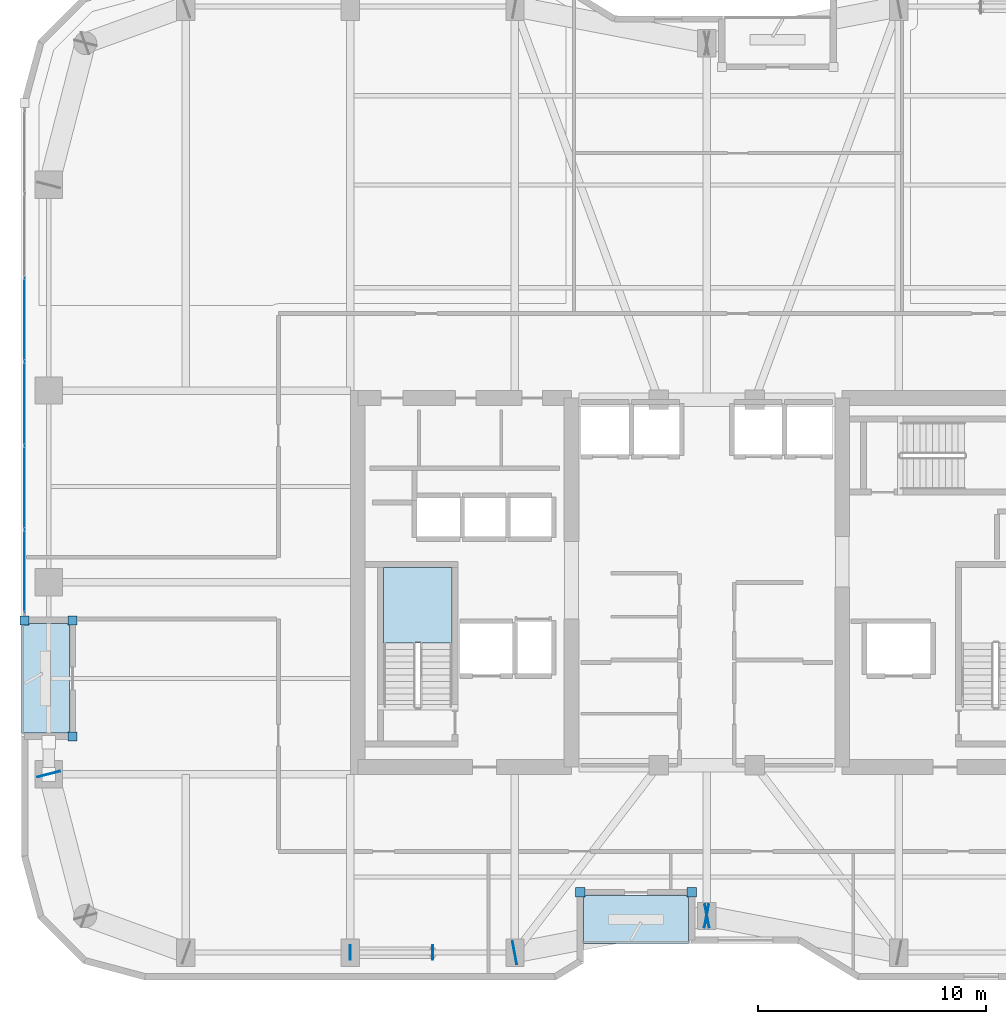
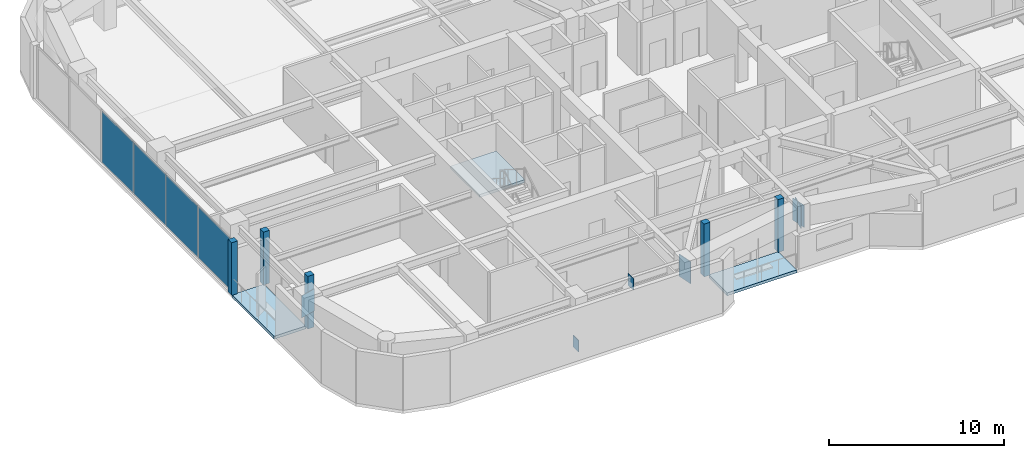
# One storey, part 21 of 30: 15 plates, 3 slabs, 2 elements without a shape of their own.
"""IFC4 building model written with IfcOpenShell, lengths in metres."""

from ifc_helpers import new_model, si_unit, direction, frame, origin, origin_2d, place, context, subcontext, project, spatial, polyline, rectangle, outline, extrude, material, layer, layer_set, type_object, element, aggregate, save


model = new_model("IFC4")

# Units and contexts
model_context = context("Model", 3, precision=1e-05, world=origin(), true_north=direction((0.0, 1.0)))
body_context = subcontext(model_context, "Body", "Model", "MODEL_VIEW")
ifc_project = project(units=[si_unit("LENGTHUNIT", "METRE"), si_unit("AREAUNIT", "SQUARE_METRE"), si_unit("VOLUMEUNIT", "CUBIC_METRE"), si_unit("PLANEANGLEUNIT", "RADIAN"), si_unit("MASSUNIT", "GRAM", prefix="KILO")], contexts=[model_context])

# Site, building, storey
site_placement = place(None, origin())
site = spatial("IfcSite", under=ifc_project, at=site_placement, CompositionType="ELEMENT")
building_placement = place(site_placement, origin())
building = spatial("IfcBuilding", under=site, at=building_placement, Name="Kiyonajd Concourse Tower", CompositionType="ELEMENT")
storey_placement = place(building_placement, frame((0.0, 0.0, 198.0)))
storey = spatial("IfcBuildingStorey", under=building, at=storey_placement, Name="L50", CompositionType="ELEMENT", Elevation=198.0)

# Plates
ifc_material_1 = material(Name="Steel ASTM A572 Grade 50", Category="steel")
ifc_layer_1 = layer(ifc_material_1, 0.028076171875)
ifc_layer_set_1 = layer_set([ifc_layer_1], Name="Steel ASTM A572 Grade 50")
plate_type_1 = type_object("IfcPlateType", Name="PL-CAP-450", PredefinedType="USERDEFINED", material=ifc_layer_set_1)
for number, where, z_axis, x_axis, name in (
    (1, (32.3916015625, 19.800048828125, -0.10888671875), (0.0, 0.0, 1.0), (-1.0, 0.0, 0.0), "L50 Hollow Brace End Cap Plate PBS"),
    (2, (36.00830078125, 19.800048828125, 2.93505859375), (0.0, 0.0, 1.0), (1.0, 0.0, 0.0), "L50 Hollow Brace Top Cap Plate PBS"),
):
    element("IfcPlate", number, at=place(storey_placement, frame(where, z_axis=z_axis, x_axis=x_axis)), inside=storey, type_object=plate_type_1, Name=name, ObjectType="CAP PLATE", PredefinedType="USERDEFINED", context=body_context, shape_type="SweptSolid", body=[
        extrude(rectangle(XDim=0.035888671875, YDim=0.6279296875, at=origin_2d()), origin(), (0.0, 0.0, 1.0), 0.803955078125),
    ])
ifc_layer_2 = layer(ifc_material_1, 0.031982421875)
ifc_layer_set_2 = layer_set([ifc_layer_2], Name="Steel ASTM A572 Grade 50")
plate_type_2 = type_object("IfcPlateType", Name="PL-CAP-540", PredefinedType="USERDEFINED", material=ifc_layer_set_2)
for number, where, z_axis, x_axis, name in (
    (3, (19.197265625, 27.610595703125, 2.2099609375), (0.0, 0.0, 1.0), (-0.249873048837, 0.968278606324, 0.0), "L50 Welded Box Girder End Cap"),
    (4, (39.589111328125, 19.7978515625, 2.2099609375), (0.0, 0.0, 1.0), (-0.982352599301, -0.187038420242, 0.0), "L50 Welded Box Girder End Cap"),
    (5, (48.0107421875, 21.402099609375, 2.2099609375), (0.0, 0.0, 1.0), (0.982352599301, 0.187038420242, 0.0), "L50 Welded Box Girder End Cap"),
    (6, (47.9892578125, 21.402099609375, 2.2099609375), (0.0, 0.0, 1.0), (-0.982352599301, 0.187038420242, 0.0), "L50 Welded Box Girder End Cap"),
):
    element("IfcPlate", number, at=place(storey_placement, frame(where, z_axis=z_axis, x_axis=x_axis)), inside=storey, type_object=plate_type_2, Name=name, ObjectType="CAP PLATE", PredefinedType="USERDEFINED", context=body_context, shape_type="SweptSolid", body=[
        extrude(rectangle(XDim=0.035888671875, YDim=1.02001953125, at=origin_2d()), origin(), (0.0, 0.0, 1.0), 1.5400390625),
    ])

# Curtain wall, plates
ifc_material_2 = material(Name="Thermally Broken Anodised Aluminium", Category="aluminium")
ifc_layer_3 = layer(ifc_material_2, 0.179931640625)
ifc_layer_set_3 = layer_set([ifc_layer_3], Name="Thermally Broken Anodised Aluminium")
curtain_wall_type = type_object("IfcCurtainWallType", Name="CW-SYS-03", PredefinedType="NOTDEFINED", material=ifc_layer_set_3)
curtain_wall_placement = place(storey_placement, origin())
curtain_wall = element("IfcCurtainWall", 7, at=curtain_wall_placement, inside=storey, type_object=curtain_wall_type, Name="L50 Unitised Curtain Wall CW3", PredefinedType="NOTDEFINED")
ifc_material_3 = material(Name="Double Low-E Insulated Glass", Category="glass")
ifc_layer_4 = layer(ifc_material_3, 0.033935546875)
ifc_layer_set_4 = layer_set([ifc_layer_4], Name="Double Low-E Insulated Glass")
plate_type_3 = type_object("IfcPlateType", Name="PL-CW-VIS34", PredefinedType="CURTAIN_PANEL", material=ifc_layer_set_4)
plate_1_placement = place(storey_placement, frame((18.139892578125, 36.484619140625, 0.06494140625), z_axis=(0.0, 0.0, 1.0), x_axis=(0.0, 1.0, 0.0)))
plate_1 = element("IfcPlate", 8, at=plate_1_placement, type_object=plate_type_3, Name="CW3 panel 1.1", PredefinedType="CURTAIN_PANEL", context=body_context, shape_type="SweptSolid", body=[
    extrude(rectangle(XDim=3.579345703125, YDim=0.033935546875, at=origin_2d()), origin(), (0.0, 0.0, 1.0), 3.550048828125),
])
plate_2_placement = place(storey_placement, frame((18.139892578125, 40.1455078125, 0.06494140625), z_axis=(0.0, 0.0, 1.0), x_axis=(0.0, 1.0, 0.0)))
plate_2 = element("IfcPlate", 9, at=plate_2_placement, type_object=plate_type_3, Name="CW3 panel 2.1", PredefinedType="CURTAIN_PANEL", context=body_context, shape_type="SweptSolid", body=[
    extrude(rectangle(XDim=3.61181640625, YDim=0.033935546875, at=origin_2d()), origin(), (0.0, 0.0, 1.0), 3.550048828125),
])
plate_3_placement = place(storey_placement, frame((18.139892578125, 43.822265625, 0.06494140625), z_axis=(0.0, 0.0, 1.0), x_axis=(0.0, 1.0, 0.0)))
plate_3 = element("IfcPlate", 10, at=plate_3_placement, type_object=plate_type_3, Name="CW3 panel 3.1", PredefinedType="CURTAIN_PANEL", context=body_context, shape_type="SweptSolid", body=[
    extrude(rectangle(XDim=3.61181640625, YDim=0.033935546875, at=origin_2d()), origin(), (0.0, 0.0, 1.0), 3.550048828125),
])
plate_4_placement = place(storey_placement, frame((18.139892578125, 47.499267578125, 0.06494140625), z_axis=(0.0, 0.0, 1.0), x_axis=(0.0, 1.0, 0.0)))
plate_4 = element("IfcPlate", 11, at=plate_4_placement, type_object=plate_type_3, Name="CW3 panel 4.1", PredefinedType="CURTAIN_PANEL", context=body_context, shape_type="SweptSolid", body=[
    extrude(rectangle(XDim=3.61181640625, YDim=0.033935546875, at=origin_2d()), origin(), (0.0, 0.0, 1.0), 3.550048828125),
])
aggregate(curtain_wall, [plate_1, plate_2, plate_3, plate_4])

# Plates
ifc_layer_5 = layer(ifc_material_2, 0.39990234375)
ifc_layer_set_5 = layer_set([ifc_layer_5], Name="Thermally Broken Anodised Aluminium")
plate_type_4 = type_object("IfcPlateType", Name="PL-JMB-400", PredefinedType="USERDEFINED", material=ifc_layer_set_5)
for number, where, z_axis, x_axis, name in (
    (12, (20.239990234375, 29.260009765625, 0.0), (0.0, 0.0, 1.0), (1.0, 0.0, 0.0), "L50 Facade Jamb Closure Plate 01"),
    (13, (20.239990234375, 34.340087890625, 0.0), (0.0, 0.0, 1.0), (1.0, 0.0, 0.0), "L50 Facade Jamb Closure Plate 02"),
    (14, (18.139892578125, 34.340087890625, 0.0), (0.0, 0.0, 1.0), (1.0, 0.0, 0.0), "L50 Facade Jamb Closure Plate 03"),
    (15, (47.340087890625, 22.43994140625, 0.0), (0.0, 0.0, 1.0), (1.0, 0.0, 0.0), "L50 Facade Jamb Closure Plate 13"),
    (16, (42.4599609375, 22.43994140625, 0.0), (0.0, 0.0, 1.0), (1.0, 0.0, 0.0), "L50 Facade Jamb Closure Plate 14"),
):
    element("IfcPlate", number, at=place(storey_placement, frame(where, z_axis=z_axis, x_axis=x_axis)), inside=storey, type_object=plate_type_4, Name=name, ObjectType="JAMB PLATE", PredefinedType="USERDEFINED", context=body_context, shape_type="SweptSolid", body=[
        extrude(rectangle(XDim=0.39990234375, YDim=0.39990234375, at=origin_2d()), origin(), (0.0, 0.0, 1.0), 3.679931640625),
    ])

# Stair, slab
ifc_material_4 = material(Name="Concrete C40/50", Category="concrete")
stair_type = type_object("IfcStairType", Name="ST-DLG-22R", PredefinedType="HALF_TURN_STAIR", material=ifc_material_4)
stair_placement = place(storey_placement, origin())
stair = element("IfcStair", 17, at=stair_placement, inside=storey, type_object=stair_type, Name="L50 Protected Exit Stair ST1", PredefinedType="HALF_TURN_STAIR")
ifc_layer_6 = layer(ifc_material_4, 0.199951171875)
ifc_layer_set_6 = layer_set([ifc_layer_6], Name="Concrete C40/50")
slab_type_1 = type_object("IfcSlabType", Name="SL-LND-200", PredefinedType="LANDING", material=ifc_layer_set_6)
slab_1_placement = place(storey_placement, frame((0.0, 0.0, 1.75)))
slab_1 = element("IfcSlab", 18, at=slab_1_placement, type_object=slab_type_1, Name="ST1 landing 1", PredefinedType="LANDING", context=body_context, shape_type="SweptSolid", body=[
    extrude(outline(polyline([(36.85009765625, 33.35009765625), (36.85009765625, 36.64990234375), (33.85009765625, 36.64990234375), (33.85009765625, 33.35009765625), (36.85009765625, 33.35009765625)])), origin(), (0.0, 0.0, 1.0), 0.199951171875),
])
aggregate(stair, [slab_1])

# Slabs
ifc_material_5 = material(Name="Precast concrete C50/60", Category="concrete")
ifc_layer_7 = layer(ifc_material_5, 0.199951171875)
ifc_layer_set_7 = layer_set([ifc_layer_7], Name="Precast concrete C50/60")
slab_type_2 = type_object("IfcSlabType", Name="SL-LOG-200", PredefinedType="FLOOR", material=ifc_layer_set_7)
slab_2_placement = place(storey_placement, frame((0.0, 0.0, -0.199951171875)))
element("IfcSlab", 19, at=slab_2_placement, inside=storey, type_object=slab_type_2, Name="L50 Recessed Engawa Loggia Terrace Slab LOG-S", PredefinedType="FLOOR", context=body_context, shape_type="SweptSolid", body=[
    extrude(outline(polyline([(42.60009765625, 20.199951171875), (47.199951171875, 20.199951171875), (47.199951171875, 22.300048828125), (42.60009765625, 22.300048828125), (42.60009765625, 20.199951171875)])), origin(), (0.0, 0.0, 1.0), 0.199951171875),
])
slab_3_placement = place(storey_placement, frame((0.0, 0.0, -0.199951171875)))
element("IfcSlab", 20, at=slab_3_placement, inside=storey, type_object=slab_type_2, Name="L50 Recessed Engawa Loggia Terrace Slab LOG-W", PredefinedType="FLOOR", context=body_context, shape_type="SweptSolid", body=[
    extrude(outline(polyline([(18.0, 29.39990234375), (20.10009765625, 29.39990234375), (20.10009765625, 34.199951171875), (18.0, 34.199951171875), (18.0, 29.39990234375)])), origin(), (0.0, 0.0, 1.0), 0.199951171875),
])

save(model, "model.ifc")
